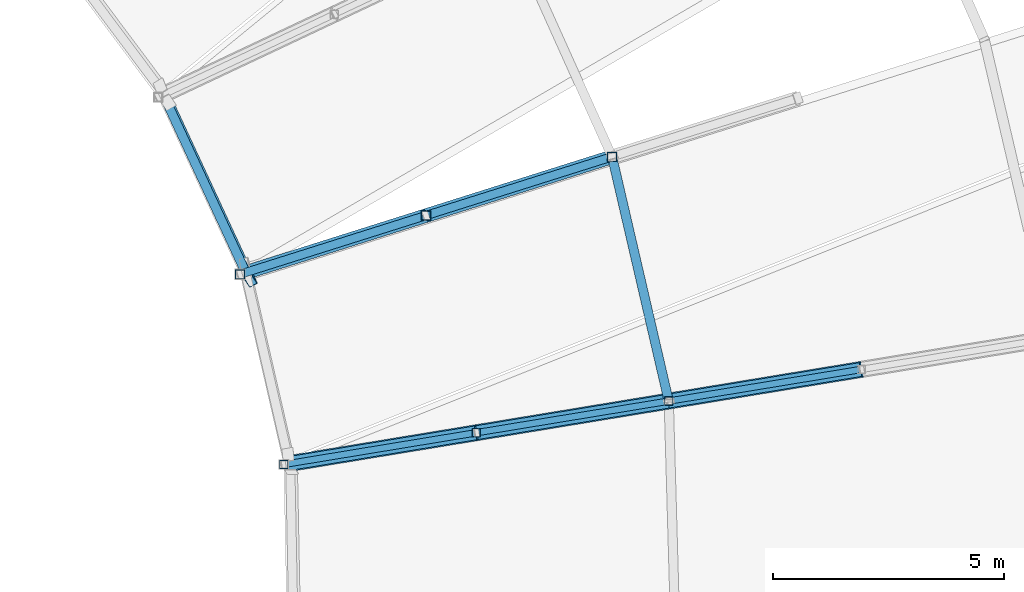
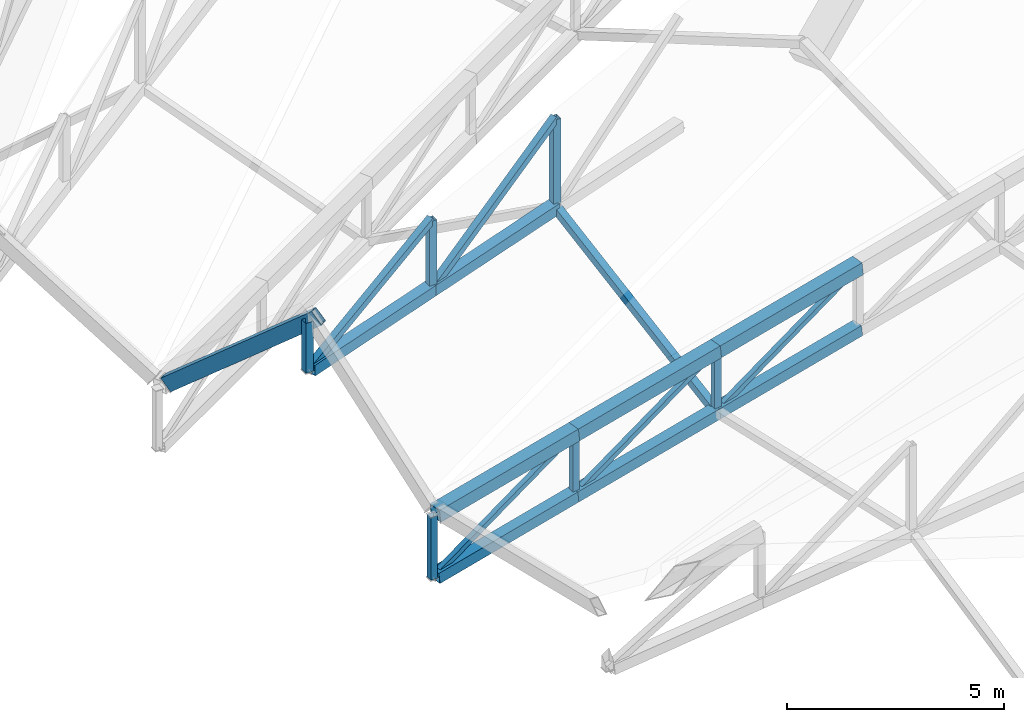
# One storey, part 176 of 344: 20 members, 1 beam.
"""IFC4 building model written with IfcOpenShell, lengths in metres."""

from ifc_helpers import new_model, si_unit, direction, frame, origin, origin_2d, place, context, subcontext, project, spatial, hollow_rectangle, extrude, material, material_profile, profile_set, type_object, element, save


model = new_model("IFC4")

# Units and contexts
model_context = context("Model", 3, precision=1e-05, world=origin(), true_north=direction((0.0, 1.0)))
body_context = subcontext(model_context, "Body", "Model", "MODEL_VIEW")
ifc_project = project(units=[si_unit("LENGTHUNIT", "METRE"), si_unit("AREAUNIT", "SQUARE_METRE"), si_unit("VOLUMEUNIT", "CUBIC_METRE"), si_unit("PLANEANGLEUNIT", "RADIAN"), si_unit("MASSUNIT", "GRAM", prefix="KILO")], contexts=[model_context])

# Site, building, storey
site_placement = place(None, origin())
site = spatial("IfcSite", under=ifc_project, at=site_placement, CompositionType="ELEMENT")
building_placement = place(site_placement, origin())
building = spatial("IfcBuilding", under=site, at=building_placement, Name="Meseta Stadium", CompositionType="ELEMENT")
storey_placement = place(building_placement, frame((0.0, 0.0, 24.0)))
storey = spatial("IfcBuildingStorey", under=building, at=storey_placement, Name="L04", CompositionType="ELEMENT", Elevation=24.0)

# Beam
ifc_material_1 = material(Name="Steel S355", Category="steel")
ifc_material_profile_1 = material_profile(ifc_material_1, hollow_rectangle(XDim=0.199951171875, YDim=0.39990234375, WallThickness=0.01611328125, at=origin_2d()), Name="RHS 400x200x16")
ifc_profile_set_1 = profile_set([ifc_material_profile_1], Name="Steel S355")
beam_type = type_object("IfcBeamType", Name="RHS 400x200x16 tip ring beam", PredefinedType="BEAM", material=ifc_profile_set_1)
beam_placement = place(storey_placement, frame((46.106201171875, 51.61474609375, 7.81201171875), z_axis=(-0.321336456985, 0.693539828832, -0.644783209487), x_axis=(-0.878575786573, -0.472404347737, -0.070276023557)))
element("IfcBeam", 1, at=beam_placement, inside=storey, type_object=beam_type, Name="TIP RING BEAM 11", PredefinedType="BEAM", context=body_context, shape_type="SweptSolid", body=[
    extrude(hollow_rectangle(XDim=0.199951171875, YDim=0.39990234375, WallThickness=0.01611328125, at=origin_2d()), origin(), (0.0, 0.0, 1.0), 5.55322265625),
])

# Members
ifc_material_2 = material(Name="Steel S355", Category="steel")
ifc_material_profile_2 = material_profile(ifc_material_2, hollow_rectangle(XDim=0.139892578125, YDim=0.139892578125, WallThickness=0.0048828125, at=origin_2d()), Name="SHS 140x140x5")
ifc_profile_set_2 = profile_set([ifc_material_profile_2], Name="Steel S355")
member_type_1 = type_object("IfcMemberType", Name="SHS 140x140x5 diagonal", PredefinedType="BRACE", material=ifc_profile_set_2)
member_1_placement = place(storey_placement, frame((46.829345703125, 47.633544921875, 2.634765625), z_axis=(0.873418924065, 0.143667560495, 0.465294546655), x_axis=(-0.162307632911, 0.986740205069, 0.0)))
element("IfcMember", 2, at=member_1_placement, inside=storey, type_object=member_type_1, Name="ROOF TRUSS RT-09 diagonal", PredefinedType="BRACE", context=body_context, shape_type="SweptSolid", body=[
    extrude(hollow_rectangle(XDim=0.139892578125, YDim=0.139892578125, WallThickness=0.0048828125, at=origin_2d()), origin(), (0.0, 0.0, 1.0), 4.77001953125),
])
member_2_placement = place(storey_placement, frame((50.99560546875, 48.31884765625, 3.097412109375), z_axis=(0.873398123495, 0.143664139036, 0.465334646283), x_axis=(-0.162307632911, 0.986740205069, 0.0)))
element("IfcMember", 3, at=member_2_placement, inside=storey, type_object=member_type_1, Name="ROOF TRUSS RT-09 diagonal", PredefinedType="BRACE", context=body_context, shape_type="SweptSolid", body=[
    extrude(hollow_rectangle(XDim=0.139892578125, YDim=0.139892578125, WallThickness=0.0048828125, at=origin_2d()), origin(), (0.0, 0.0, 1.0), 4.770263671875),
])
member_3_placement = place(storey_placement, frame((55.161865234375, 49.004150390625, 3.560302734375), z_axis=(0.873385983869, 0.143670561224, 0.465355448039), x_axis=(-0.162316894015, 0.986738681677, 0.0)))
element("IfcMember", 4, at=member_3_placement, inside=storey, type_object=member_type_1, Name="ROOF TRUSS RT-09 diagonal", PredefinedType="BRACE", context=body_context, shape_type="SweptSolid", body=[
    extrude(hollow_rectangle(XDim=0.139892578125, YDim=0.139892578125, WallThickness=0.0048828125, at=origin_2d()), origin(), (0.0, 0.0, 1.0), 4.77001953125),
])
ifc_material_3 = material(Name="Steel S355", Category="steel")
ifc_material_profile_3 = material_profile(ifc_material_3, hollow_rectangle(XDim=0.179931640625, YDim=0.179931640625, WallThickness=0.00634765625, at=origin_2d()), Name="SHS 180x180x6.3")
ifc_profile_set_3 = profile_set([ifc_material_profile_3], Name="Steel S355")
member_type_2 = type_object("IfcMemberType", Name="SHS 180x180x6.3 diagonal", PredefinedType="BRACE", material=ifc_profile_set_3)
member_4_placement = place(storey_placement, frame((45.883544921875, 51.749267578125, 6.2939453125), z_axis=(0.856158228989, 0.270330234573, 0.44035741303), x_axis=(-0.301095390886, 0.953594025562, 0.0)))
element("IfcMember", 5, at=member_4_placement, inside=storey, type_object=member_type_2, Name="ROOF TRUSS RT-10 diagonal", PredefinedType="BRACE", context=body_context, shape_type="SweptSolid", body=[
    extrude(hollow_rectangle(XDim=0.179931640625, YDim=0.179931640625, WallThickness=0.00634765625, at=origin_2d()), origin(), (0.0, 0.0, 1.0), 4.70263671875),
])
member_5_placement = place(storey_placement, frame((49.90966796875, 53.0205078125, 6.41650390625), z_axis=(0.810363530362, 0.255904272746, 0.527090079444), x_axis=(-0.301131367937, 0.953582665134, 0.0)))
element("IfcMember", 6, at=member_5_placement, inside=storey, type_object=member_type_2, Name="ROOF TRUSS RT-10 diagonal", PredefinedType="BRACE", context=body_context, shape_type="SweptSolid", body=[
    extrude(hollow_rectangle(XDim=0.179931640625, YDim=0.179931640625, WallThickness=0.00634765625, at=origin_2d()), origin(), (0.0, 0.0, 1.0), 4.968505859375),
])
ifc_material_4 = material(Name="Steel S355", Category="steel")
ifc_material_profile_4 = material_profile(ifc_material_4, hollow_rectangle(XDim=0.179931640625, YDim=0.179931640625, WallThickness=0.00634765625, at=origin_2d()), Name="SHS 180x180x6.3")
ifc_profile_set_4 = profile_set([ifc_material_profile_4], Name="Steel S355")
member_type_3 = type_object("IfcMemberType", Name="SHS 180x180x6.3 post", PredefinedType="POST", material=ifc_profile_set_4)
for number, where, z_axis, x_axis, name in (
    (7, (50.99560546875, 48.31884765625, 3.097412109375), (0.0, 0.0, 1.0), (1.0, 0.0, 0.0), "ROOF TRUSS RT-09 post"),
    (8, (55.161865234375, 49.004150390625, 3.560302734375), (0.0, 0.0, 1.0), (1.0, 0.0, 0.0), "ROOF TRUSS RT-09 post"),
):
    element("IfcMember", number, at=place(storey_placement, frame(where, z_axis=z_axis, x_axis=x_axis)), inside=storey, type_object=member_type_3, Name=name, PredefinedType="POST", context=body_context, shape_type="SweptSolid", body=[
        extrude(hollow_rectangle(XDim=0.179931640625, YDim=0.179931640625, WallThickness=0.00634765625, at=origin_2d()), origin(), (0.0, 0.0, 1.0), 1.7568359375),
    ])
ifc_material_5 = material(Name="Steel S355", Category="steel")
ifc_material_profile_5 = material_profile(ifc_material_5, hollow_rectangle(XDim=0.179931640625, YDim=0.179931640625, WallThickness=0.00634765625, at=origin_2d()), Name="SHS 180x180x6.3")
ifc_profile_set_5 = profile_set([ifc_material_profile_5], Name="Steel S355")
member_type_4 = type_object("IfcMemberType", Name="SHS 180x180x6.3 rim post", PredefinedType="POST", material=ifc_profile_set_5)
member_6_placement = place(storey_placement, frame((46.829345703125, 47.633544921875, 2.634765625), z_axis=(0.0, 0.0, 1.0), x_axis=(1.0, 0.0, 0.0)))
element("IfcMember", 9, at=member_6_placement, inside=storey, type_object=member_type_4, Name="ROOF TRUSS RT-09 post", PredefinedType="POST", context=body_context, shape_type="SweptSolid", body=[
    extrude(hollow_rectangle(XDim=0.179931640625, YDim=0.179931640625, WallThickness=0.00634765625, at=origin_2d()), origin(), (0.0, 0.0, 1.0), 1.7568359375),
])
ifc_material_6 = material(Name="Steel S355", Category="steel")
ifc_material_profile_6 = material_profile(ifc_material_6, hollow_rectangle(XDim=0.199951171875, YDim=0.199951171875, WallThickness=0.008056640625, at=origin_2d()), Name="SHS 200x200x8")
ifc_profile_set_6 = profile_set([ifc_material_profile_6], Name="Steel S355")
member_type_5 = type_object("IfcMemberType", Name="SHS 200x200x8 post", PredefinedType="POST", material=ifc_profile_set_6)
member_7_placement = place(storey_placement, frame((49.90966796875, 53.0205078125, 6.41650390625), z_axis=(0.0, 0.0, 1.0), x_axis=(1.0, 0.0, 0.0)))
element("IfcMember", 10, at=member_7_placement, inside=storey, type_object=member_type_5, Name="ROOF TRUSS RT-10 post", PredefinedType="POST", context=body_context, shape_type="SweptSolid", body=[
    extrude(hollow_rectangle(XDim=0.199951171875, YDim=0.199951171875, WallThickness=0.008056640625, at=origin_2d()), origin(), (0.0, 0.0, 1.0), 1.9482421875),
])
member_8_placement = place(storey_placement, frame((53.93603515625, 54.2919921875, 6.5390625), z_axis=(0.0, 0.0, 1.0), x_axis=(1.0, 0.0, 0.0)))
element("IfcMember", 11, at=member_8_placement, inside=storey, type_object=member_type_5, Name="ROOF TRUSS RT-10 post", PredefinedType="POST", context=body_context, shape_type="SweptSolid", body=[
    extrude(hollow_rectangle(XDim=0.199951171875, YDim=0.199951171875, WallThickness=0.008056640625, at=origin_2d()), origin(), (0.0, 0.0, 1.0), 2.496337890625),
])
ifc_material_7 = material(Name="Steel S355", Category="steel")
ifc_material_profile_7 = material_profile(ifc_material_7, hollow_rectangle(XDim=0.199951171875, YDim=0.199951171875, WallThickness=0.008056640625, at=origin_2d()), Name="SHS 200x200x8")
ifc_profile_set_7 = profile_set([ifc_material_profile_7], Name="Steel S355")
member_type_6 = type_object("IfcMemberType", Name="SHS 200x200x8 rim post", PredefinedType="POST", material=ifc_profile_set_7)
member_9_placement = place(storey_placement, frame((45.883544921875, 51.749267578125, 6.2939453125), z_axis=(0.0, 0.0, 1.0), x_axis=(1.0, 0.0, 0.0)))
element("IfcMember", 12, at=member_9_placement, inside=storey, type_object=member_type_6, Name="ROOF TRUSS RT-10 post", PredefinedType="POST", context=body_context, shape_type="SweptSolid", body=[
    extrude(hollow_rectangle(XDim=0.199951171875, YDim=0.199951171875, WallThickness=0.008056640625, at=origin_2d()), origin(), (0.0, 0.0, 1.0), 1.39990234375),
])
ifc_material_8 = material(Name="Steel S355", Category="steel")
ifc_material_profile_8 = material_profile(ifc_material_8, hollow_rectangle(XDim=0.199951171875, YDim=0.199951171875, WallThickness=0.008056640625, at=origin_2d()), Name="SHS 200x200x8")
ifc_profile_set_8 = profile_set([ifc_material_profile_8], Name="Steel S355")
member_type_7 = type_object("IfcMemberType", Name="SHS 200x200x8 strut", PredefinedType="STRUT", material=ifc_profile_set_8)
member_10_placement = place(storey_placement, frame((55.161865234375, 49.004150390625, 3.560302734375), z_axis=(-0.197980105289, 0.854023322138, 0.48109047294), x_axis=(-0.974166328741, -0.225831715989, 0.0)))
element("IfcMember", 13, at=member_10_placement, inside=storey, type_object=member_type_7, Name="ROOF TRUSS STRUT RT-09/10", PredefinedType="STRUT", context=body_context, shape_type="SweptSolid", body=[
    extrude(hollow_rectangle(XDim=0.199951171875, YDim=0.199951171875, WallThickness=0.008056640625, at=origin_2d()), origin(), (0.0, 0.0, 1.0), 6.191650390625),
])
ifc_material_9 = material(Name="Steel S355", Category="steel")
ifc_material_profile_9 = material_profile(ifc_material_9, hollow_rectangle(XDim=0.300048828125, YDim=0.300048828125, WallThickness=0.010009765625, at=origin_2d()), Name="SHS 300x300x10")
ifc_profile_set_9 = profile_set([ifc_material_profile_9], Name="Steel S355")
member_type_8 = type_object("IfcMemberType", Name="SHS 300x300x10 bottom chord", PredefinedType="CHORD", material=ifc_profile_set_9)
member_11_placement = place(storey_placement, frame((46.917724609375, 47.64794921875, 2.64453125), z_axis=(0.980863125606, 0.161372919186, 0.108932592828), x_axis=(-0.16233897591, 0.986735048988, 0.0)))
element("IfcMember", 14, at=member_11_placement, inside=storey, type_object=member_type_8, Name="ROOF TRUSS RT-09 bottom chord", PredefinedType="CHORD", context=body_context, shape_type="SweptSolid", body=[
    extrude(hollow_rectangle(XDim=0.300048828125, YDim=0.300048828125, WallThickness=0.010009765625, at=origin_2d()), origin(), (0.0, 0.0, 1.0), 4.157470703125),
])
member_12_placement = place(storey_placement, frame((50.99560546875, 48.31884765625, 3.097412109375), z_axis=(0.980863294148, 0.161340947358, 0.108978424008), x_axis=(-0.162307632911, 0.986740205069, 0.0)))
element("IfcMember", 15, at=member_12_placement, inside=storey, type_object=member_type_8, Name="ROOF TRUSS RT-09 bottom chord", PredefinedType="CHORD", context=body_context, shape_type="SweptSolid", body=[
    extrude(hollow_rectangle(XDim=0.300048828125, YDim=0.300048828125, WallThickness=0.010009765625, at=origin_2d()), origin(), (0.0, 0.0, 1.0), 4.24755859375),
])
member_13_placement = place(storey_placement, frame((55.161865234375, 49.004150390625, 3.560302734375), z_axis=(0.980861115131, 0.161350043962, 0.108984568348), x_axis=(-0.162316894015, 0.986738681677, 0.0)))
element("IfcMember", 16, at=member_13_placement, inside=storey, type_object=member_type_8, Name="ROOF TRUSS RT-09 bottom chord", PredefinedType="CHORD", context=body_context, shape_type="SweptSolid", body=[
    extrude(hollow_rectangle(XDim=0.300048828125, YDim=0.300048828125, WallThickness=0.010009765625, at=origin_2d()), origin(), (0.0, 0.0, 1.0), 4.247314453125),
])
member_14_placement = place(storey_placement, frame((45.978759765625, 51.779296875, 6.296875), z_axis=(0.953190315352, 0.300976309748, 0.029008338272), x_axis=(-0.301103023052, 0.953591615687, 0.0)))
element("IfcMember", 17, at=member_14_placement, inside=storey, type_object=member_type_8, Name="ROOF TRUSS RT-10 bottom chord", PredefinedType="CHORD", context=body_context, shape_type="SweptSolid", body=[
    extrude(hollow_rectangle(XDim=0.300048828125, YDim=0.300048828125, WallThickness=0.010009765625, at=origin_2d()), origin(), (0.0, 0.0, 1.0), 4.1240234375),
])
member_15_placement = place(storey_placement, frame((49.90966796875, 53.0205078125, 6.41650390625), z_axis=(0.95318121509, 0.301004594239, 0.0290138837), x_axis=(-0.301131367937, 0.953582665134, 0.0)))
element("IfcMember", 18, at=member_15_placement, inside=storey, type_object=member_type_8, Name="ROOF TRUSS RT-10 bottom chord", PredefinedType="CHORD", context=body_context, shape_type="SweptSolid", body=[
    extrude(hollow_rectangle(XDim=0.300048828125, YDim=0.300048828125, WallThickness=0.010009765625, at=origin_2d()), origin(), (0.0, 0.0, 1.0), 4.22412109375),
])
ifc_material_10 = material(Name="Steel S355", Category="steel")
ifc_material_profile_10 = material_profile(ifc_material_10, hollow_rectangle(XDim=0.35009765625, YDim=0.35009765625, WallThickness=0.010009765625, at=origin_2d()), Name="SHS 350x350x10")
ifc_profile_set_10 = profile_set([ifc_material_profile_10], Name="Steel S355")
member_type_9 = type_object("IfcMemberType", Name="SHS 350x350x10 top chord", PredefinedType="CHORD", material=ifc_profile_set_10)
member_16_placement = place(storey_placement, frame((46.917724609375, 47.64794921875, 4.4013671875), z_axis=(0.980863125606, 0.161372919186, 0.108932592828), x_axis=(-0.16233897591, 0.986735048988, 0.0)))
element("IfcMember", 19, at=member_16_placement, inside=storey, type_object=member_type_9, Name="ROOF TRUSS RT-09 top chord", PredefinedType="CHORD", context=body_context, shape_type="SweptSolid", body=[
    extrude(hollow_rectangle(XDim=0.35009765625, YDim=0.35009765625, WallThickness=0.010009765625, at=origin_2d()), origin(), (0.0, 0.0, 1.0), 4.157470703125),
])
member_17_placement = place(storey_placement, frame((50.99560546875, 48.31884765625, 4.854248046875), z_axis=(0.980863294148, 0.161340947358, 0.108978424008), x_axis=(-0.162307632911, 0.986740205069, 0.0)))
element("IfcMember", 20, at=member_17_placement, inside=storey, type_object=member_type_9, Name="ROOF TRUSS RT-09 top chord", PredefinedType="CHORD", context=body_context, shape_type="SweptSolid", body=[
    extrude(hollow_rectangle(XDim=0.35009765625, YDim=0.35009765625, WallThickness=0.010009765625, at=origin_2d()), origin(), (0.0, 0.0, 1.0), 4.24755859375),
])
member_18_placement = place(storey_placement, frame((55.161865234375, 49.004150390625, 5.317138671875), z_axis=(0.980861115131, 0.161350043962, 0.108984568348), x_axis=(-0.162316894015, 0.986738681677, 0.0)))
element("IfcMember", 21, at=member_18_placement, inside=storey, type_object=member_type_9, Name="ROOF TRUSS RT-09 top chord", PredefinedType="CHORD", context=body_context, shape_type="SweptSolid", body=[
    extrude(hollow_rectangle(XDim=0.35009765625, YDim=0.35009765625, WallThickness=0.010009765625, at=origin_2d()), origin(), (0.0, 0.0, 1.0), 4.247314453125),
])

save(model, "model.ifc")
